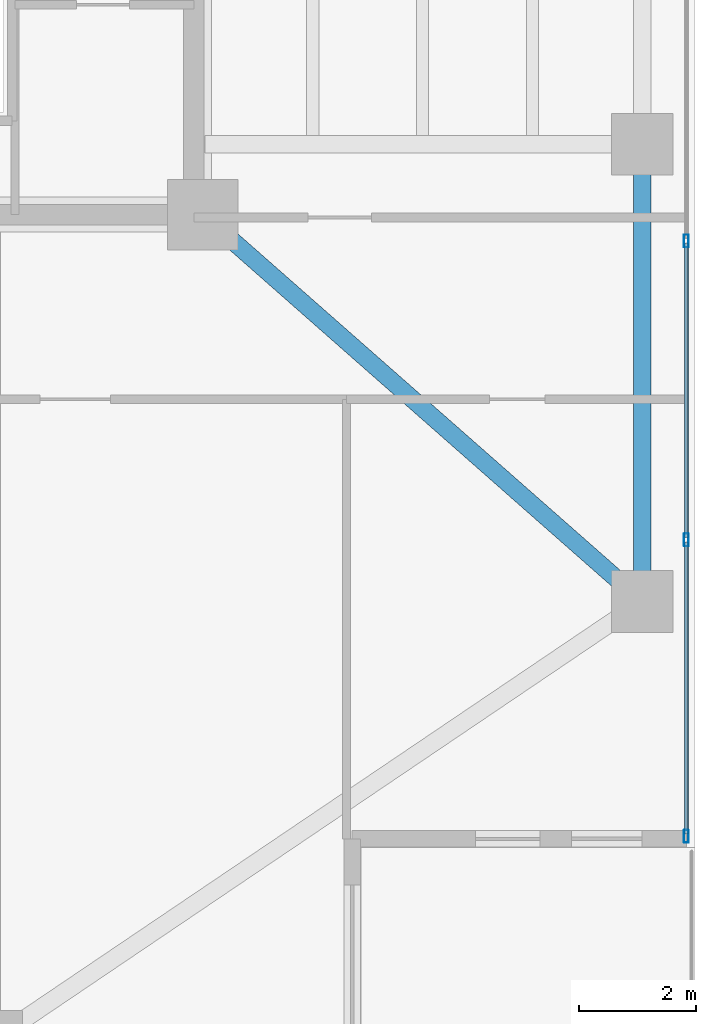
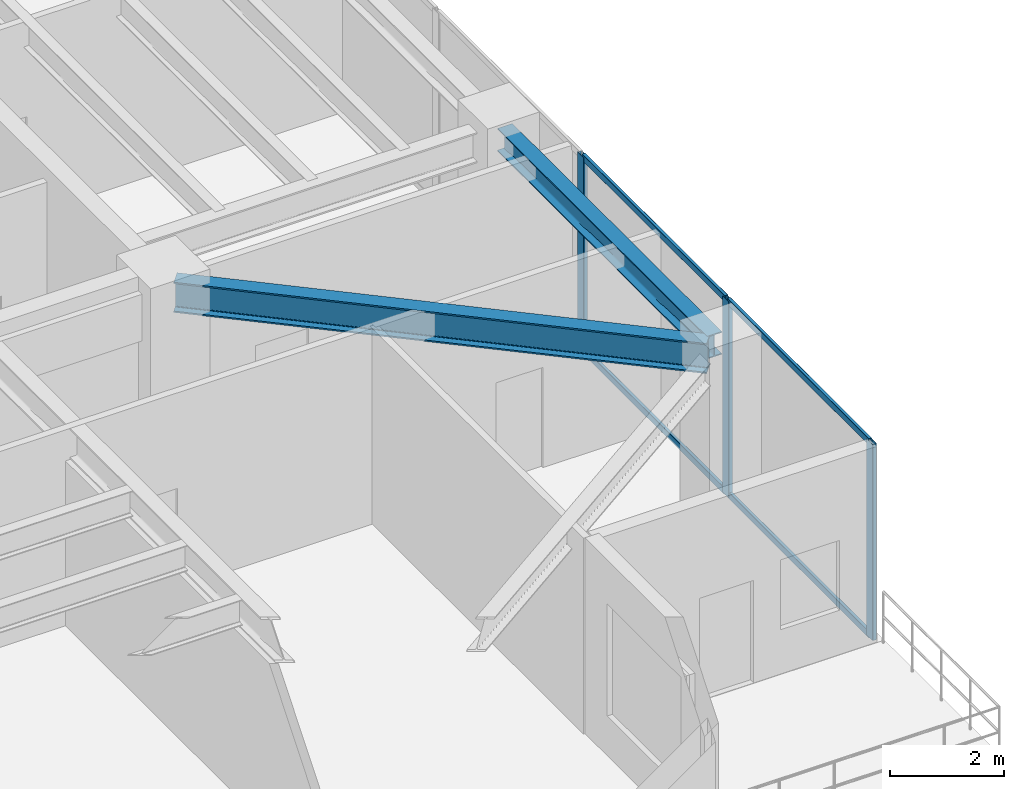
# One storey, part 15 of 38: 7 members, 2 beams, 1 element without a shape of its own.
"""IFC4 building model written with IfcOpenShell, lengths in metres."""

from ifc_helpers import new_model, si_unit, direction, frame, origin, origin_2d, place, context, subcontext, project, spatial, hollow_rectangle, i_section, extrude, material, layer, layer_set, material_profile, profile_set, type_object, element, aggregate, save


model = new_model("IFC4")

# Units and contexts
model_context = context("Model", 3, precision=1e-05, world=origin(), true_north=direction((0.0, 1.0)))
body_context = subcontext(model_context, "Body", "Model", "MODEL_VIEW")
ifc_project = project(units=[si_unit("LENGTHUNIT", "METRE"), si_unit("AREAUNIT", "SQUARE_METRE"), si_unit("VOLUMEUNIT", "CUBIC_METRE"), si_unit("PLANEANGLEUNIT", "RADIAN"), si_unit("MASSUNIT", "GRAM", prefix="KILO")], contexts=[model_context])

# Site, building, storey
site_placement = place(None, origin())
site = spatial("IfcSite", under=ifc_project, at=site_placement, CompositionType="ELEMENT")
building_placement = place(site_placement, origin())
building = spatial("IfcBuilding", under=site, at=building_placement, Name="Tarnavaz Court Tower", CompositionType="ELEMENT")
storey_placement = place(building_placement, frame((0.0, 0.0, 123.0)))
storey = spatial("IfcBuildingStorey", under=building, at=storey_placement, Name="L33", CompositionType="ELEMENT", Elevation=123.0)

# Beams
ifc_material_1 = material(Name="Steel S355", Category="steel")
ifc_material_profile_1 = material_profile(ifc_material_1, i_section(OverallWidth=0.300048828125, OverallDepth=0.64990234375, WebThickness=0.01611328125, FlangeThickness=0.031005859375, FilletRadius=0.027099609375, at=origin_2d()), Name="HEB 650")
ifc_profile_set_1 = profile_set([ifc_material_profile_1], Name="Steel S355")
beam_type_1 = type_object("IfcBeamType", Name="BM-G-HEB650", PredefinedType="USERDEFINED", material=ifc_profile_set_1)
beam_1_placement = place(storey_placement, frame((18.76513671875, -7.34521484375, 3.875), z_axis=(0.750700332035, -0.660642877417, 0.0), x_axis=(0.660642877417, 0.750700332035, 0.0)))
element("IfcBeam", 1, at=beam_1_placement, inside=storey, type_object=beam_type_1, Name="L33 Beam RG-11", ObjectType="GIRDER", PredefinedType="USERDEFINED", context=body_context, shape_type="SweptSolid", body=[
    extrude(i_section(OverallWidth=0.300048828125, OverallDepth=0.64990234375, WebThickness=0.01611328125, FlangeThickness=0.031005859375, FilletRadius=0.027099609375, at=origin_2d()), origin(), (0.0, 0.0, 1.0), 9.550537109375),
])
ifc_material_profile_2 = material_profile(ifc_material_1, i_section(OverallWidth=0.300048828125, OverallDepth=0.489990234375, WebThickness=0.011962890625, FlangeThickness=0.02294921875, FilletRadius=0.027099609375, at=origin_2d()), Name="HEA 500")
ifc_profile_set_2 = profile_set([ifc_material_profile_2], Name="Steel S355")
beam_type_2 = type_object("IfcBeamType", Name="BM-SP-HEA500", PredefinedType="SPANDREL", material=ifc_profile_set_2)
beam_2_placement = place(storey_placement, frame((26.10009765625, -13.580078125, 3.955078125), z_axis=(0.0, 1.0, 0.0), x_axis=(-1.0, 0.0, 0.0)))
element("IfcBeam", 2, at=beam_2_placement, inside=storey, type_object=beam_type_2, Name="L33 Beam PR-PE-1-PE-2", PredefinedType="SPANDREL", context=body_context, shape_type="SweptSolid", body=[
    extrude(i_section(OverallWidth=0.300048828125, OverallDepth=0.489990234375, WebThickness=0.011962890625, FlangeThickness=0.02294921875, FilletRadius=0.027099609375, at=origin_2d()), origin(), (0.0, 0.0, 1.0), 7.360107421875),
])

# Curtain wall, members
ifc_material_2 = material(Name="Anodised Aluminium 6063-T6 and Solar Low-E Glazing", Category="aluminium")
ifc_layer = layer(ifc_material_2, 0.199951171875)
ifc_layer_set = layer_set([ifc_layer], Name="Anodised Aluminium 6063-T6 and Solar Low-E Glazing")
curtain_wall_type = type_object("IfcCurtainWallType", Name="CW-SYS-05", PredefinedType="NOTDEFINED", material=ifc_layer_set)
curtain_wall_placement = place(storey_placement, origin())
curtain_wall = element("IfcCurtainWall", 3, at=curtain_wall_placement, inside=storey, type_object=curtain_wall_type, Name="L33 Sky-Portal Curtain Wall 12", PredefinedType="NOTDEFINED")
ifc_material_3 = material(Name="Anodised Aluminium 6063-T6", Category="aluminium")
ifc_material_profile_3 = material_profile(ifc_material_3, hollow_rectangle(XDim=0.0849609375, YDim=0.219970703125, WallThickness=0.006103515625, InnerFilletRadius=0.006103515625, OuterFilletRadius=0.011962890625, at=origin_2d()), Name="ALU RHS 220X85X6")
ifc_profile_set_3 = profile_set([ifc_material_profile_3], Name="Anodised Aluminium 6063-T6")
member_type_1 = type_object("IfcMemberType", Name="CW-MUL-220", PredefinedType="MULLION", material=ifc_profile_set_3)
member_1_placement = place(storey_placement, frame((26.85009765625, -7.64990234375, 0.0), z_axis=(0.0, 0.0, 1.0), x_axis=(1.0, 0.0, 0.0)))
member_1 = element("IfcMember", 4, at=member_1_placement, type_object=member_type_1, Name="CW mullion 6", PredefinedType="MULLION", context=body_context, shape_type="SweptSolid", body=[
    extrude(hollow_rectangle(XDim=0.0849609375, YDim=0.219970703125, WallThickness=0.006103515625, InnerFilletRadius=0.006103515625, OuterFilletRadius=0.011962890625, at=origin_2d()), origin(), (0.0, 0.0, 1.0), 4.199951171875),
])
member_2_placement = place(storey_placement, frame((26.85009765625, -12.75, 0.0), z_axis=(0.0, 0.0, 1.0), x_axis=(1.0, 0.0, 0.0)))
member_2 = element("IfcMember", 5, at=member_2_placement, type_object=member_type_1, Name="CW mullion 7", PredefinedType="MULLION", context=body_context, shape_type="SweptSolid", body=[
    extrude(hollow_rectangle(XDim=0.0849609375, YDim=0.219970703125, WallThickness=0.006103515625, InnerFilletRadius=0.006103515625, OuterFilletRadius=0.011962890625, at=origin_2d()), origin(), (0.0, 0.0, 1.0), 4.199951171875),
])
member_3_placement = place(storey_placement, frame((26.85009765625, -17.8076171875, 0.0), z_axis=(0.0, 0.0, 1.0), x_axis=(1.0, 0.0, 0.0)))
member_3 = element("IfcMember", 6, at=member_3_placement, type_object=member_type_1, Name="CW mullion 8", PredefinedType="MULLION", context=body_context, shape_type="SweptSolid", body=[
    extrude(hollow_rectangle(XDim=0.0849609375, YDim=0.219970703125, WallThickness=0.006103515625, InnerFilletRadius=0.006103515625, OuterFilletRadius=0.011962890625, at=origin_2d()), origin(), (0.0, 0.0, 1.0), 4.199951171875),
])
ifc_material_profile_4 = material_profile(ifc_material_3, hollow_rectangle(XDim=0.06494140625, YDim=0.139892578125, WallThickness=0.00390625, InnerFilletRadius=0.00390625, OuterFilletRadius=0.008056640625, at=origin_2d()), Name="ALU RHS 140X65X4")
ifc_profile_set_4 = profile_set([ifc_material_profile_4], Name="Anodised Aluminium 6063-T6")
member_type_2 = type_object("IfcMemberType", Name="CW-TRN-140", PredefinedType="USERDEFINED", material=ifc_profile_set_4)
member_4_placement = place(storey_placement, frame((26.85009765625, -7.6923828125, 0.032470703125), z_axis=(0.0, -1.0, 0.0), x_axis=(1.0, 0.0, 0.0)))
member_4 = element("IfcMember", 7, at=member_4_placement, type_object=member_type_2, Name="CW transom 6.1", ObjectType="TRANSOM", PredefinedType="USERDEFINED", context=body_context, shape_type="SweptSolid", body=[
    extrude(hollow_rectangle(XDim=0.06494140625, YDim=0.139892578125, WallThickness=0.00390625, InnerFilletRadius=0.00390625, OuterFilletRadius=0.008056640625, at=origin_2d()), origin(), (0.0, 0.0, 1.0), 5.01513671875),
])
member_5_placement = place(storey_placement, frame((26.85009765625, -7.6923828125, 4.16748046875), z_axis=(0.0, -1.0, 0.0), x_axis=(1.0, 0.0, 0.0)))
member_5 = element("IfcMember", 8, at=member_5_placement, type_object=member_type_2, Name="CW transom 6.2", ObjectType="TRANSOM", PredefinedType="USERDEFINED", context=body_context, shape_type="SweptSolid", body=[
    extrude(hollow_rectangle(XDim=0.06494140625, YDim=0.139892578125, WallThickness=0.00390625, InnerFilletRadius=0.00390625, OuterFilletRadius=0.008056640625, at=origin_2d()), origin(), (0.0, 0.0, 1.0), 5.01513671875),
])
member_6_placement = place(storey_placement, frame((26.85009765625, -12.79248046875, 0.032470703125), z_axis=(0.0, -1.0, 0.0), x_axis=(1.0, 0.0, 0.0)))
member_6 = element("IfcMember", 9, at=member_6_placement, type_object=member_type_2, Name="CW transom 7.1", ObjectType="TRANSOM", PredefinedType="USERDEFINED", context=body_context, shape_type="SweptSolid", body=[
    extrude(hollow_rectangle(XDim=0.06494140625, YDim=0.139892578125, WallThickness=0.00390625, InnerFilletRadius=0.00390625, OuterFilletRadius=0.008056640625, at=origin_2d()), origin(), (0.0, 0.0, 1.0), 4.972412109375),
])
member_7_placement = place(storey_placement, frame((26.85009765625, -12.79248046875, 4.16748046875), z_axis=(0.0, -1.0, 0.0), x_axis=(1.0, 0.0, 0.0)))
member_7 = element("IfcMember", 10, at=member_7_placement, type_object=member_type_2, Name="CW transom 7.2", ObjectType="TRANSOM", PredefinedType="USERDEFINED", context=body_context, shape_type="SweptSolid", body=[
    extrude(hollow_rectangle(XDim=0.06494140625, YDim=0.139892578125, WallThickness=0.00390625, InnerFilletRadius=0.00390625, OuterFilletRadius=0.008056640625, at=origin_2d()), origin(), (0.0, 0.0, 1.0), 4.972412109375),
])
aggregate(curtain_wall, [member_1, member_2, member_3, member_4, member_5, member_6, member_7])

save(model, "model.ifc")
